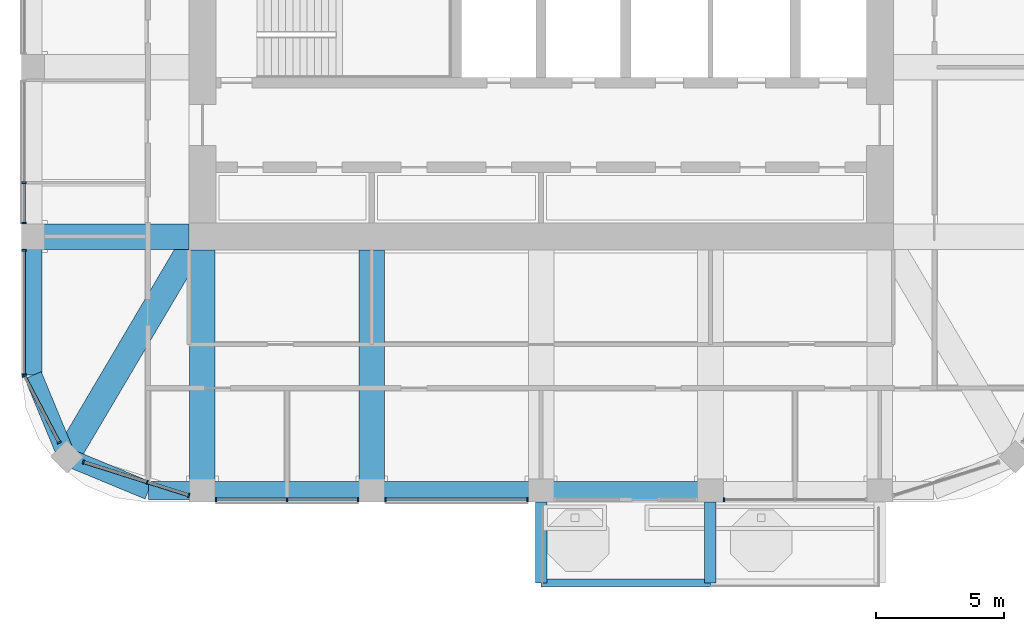
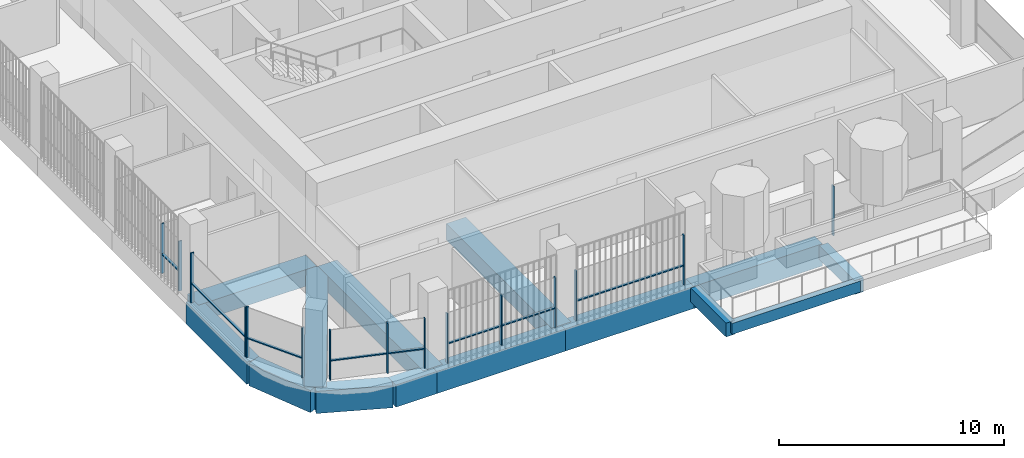
# One storey, part 2 of 21: 23 members, 14 beams, 7 elements without a shape of their own.
"""IFC4 building model written with IfcOpenShell, lengths in metres."""

from ifc_helpers import new_model, si_unit, direction, frame, origin, origin_2d, place, context, subcontext, project, spatial, rectangle, extrude, material, material_profile, profile_set, type_object, element, aggregate, save


model = new_model("IFC4")

# Units and contexts
model_context = context("Model", 3, precision=1e-05, world=origin(), true_north=direction((0.0, 1.0)))
body_context = subcontext(model_context, "Body", "Model", "MODEL_VIEW")
ifc_project = project(units=[si_unit("LENGTHUNIT", "METRE"), si_unit("AREAUNIT", "SQUARE_METRE"), si_unit("VOLUMEUNIT", "CUBIC_METRE"), si_unit("PLANEANGLEUNIT", "RADIAN"), si_unit("MASSUNIT", "GRAM", prefix="KILO")], contexts=[model_context])

# Site, building, storey
site_placement = place(None, origin())
site = spatial("IfcSite", under=ifc_project, at=site_placement, CompositionType="ELEMENT")
building_placement = place(site_placement, origin())
building = spatial("IfcBuilding", under=site, at=building_placement, Name="Cobogo Forest Laboratory Tower", CompositionType="ELEMENT")
storey_placement = place(building_placement, frame((0.0, 0.0, 283.800048828125)))
storey = spatial("IfcBuildingStorey", under=building, at=storey_placement, Name="L65", CompositionType="ELEMENT", Elevation=283.800048828125)

# Beams
ifc_material_1 = material(Name="Concrete HA-40 (C40/50)", Category="concrete")
ifc_material_profile_1 = material_profile(ifc_material_1, rectangle(XDim=0.449951171875, YDim=0.75, at=origin_2d()), Name="RC 450x750")
ifc_profile_set_1 = profile_set([ifc_material_profile_1], Name="Concrete HA-40 (C40/50)")
beam_type_1 = type_object("IfcBeamType", Name="Balcony cantilever beam 450x750", PredefinedType="BEAM", material=ifc_profile_set_1)
for number, where, z_axis, x_axis, name in (
    (1, (26.39990234375, 2.85009765625, -0.625), (0.0, -1.0, 0.0), (1.0, 0.0, 0.0), "CB1 BAL-S1-C1 L65"),
    (2, (33.0, 2.85009765625, -0.625), (0.0, -1.0, 0.0), (1.0, 0.0, 0.0), "CB1 BAL-S1-C2 L65"),
):
    element("IfcBeam", number, at=place(storey_placement, frame(where, z_axis=z_axis, x_axis=x_axis)), inside=storey, type_object=beam_type_1, Name=name, PredefinedType="BEAM", context=body_context, shape_type="SweptSolid", body=[
        extrude(rectangle(XDim=0.449951171875, YDim=0.75, at=origin_2d()), origin(), (0.0, 0.0, 1.0), 3.150146484375),
    ])
ifc_material_profile_2 = material_profile(ifc_material_1, rectangle(XDim=0.300048828125, YDim=0.60009765625, at=origin_2d()), Name="RC 300x600")
ifc_profile_set_2 = profile_set([ifc_material_profile_2], Name="Concrete HA-40 (C40/50)")
beam_type_2 = type_object("IfcBeamType", Name="Balcony edge beam 300x600", PredefinedType="BEAM", material=ifc_profile_set_2)
beam_1_placement = place(storey_placement, frame((26.39990234375, -0.300048828125, -0.550048828125), z_axis=(1.0, 0.0, 0.0), x_axis=(0.0, 1.0, 0.0)))
element("IfcBeam", 3, at=beam_1_placement, inside=storey, type_object=beam_type_2, Name="BB1 BAL-S1-T1 L65", PredefinedType="BEAM", context=body_context, shape_type="SweptSolid", body=[
    extrude(rectangle(XDim=0.300048828125, YDim=0.60009765625, at=origin_2d()), origin(), (0.0, 0.0, 1.0), 6.60009765625),
])

# Curtain wall, members
ifc_material_2 = material(Name="Aluminium curtain wall", Category="aluminium")
curtain_wall_type = type_object("IfcCurtainWallType", Name="CW-2 unitised curtain wall, solar control glazing, laboratory floors zones C and D", PredefinedType="USERDEFINED", material=ifc_material_2)
curtain_wall_1_placement = place(storey_placement, origin())
curtain_wall_1 = element("IfcCurtainWall", 4, at=curtain_wall_1_placement, inside=storey, type_object=curtain_wall_type, Name="Curtain wall 01 L65", ObjectType="UNITISED CURTAIN WALL", PredefinedType="USERDEFINED")
ifc_material_3 = material(Name="Aluminium mullion", Category="aluminium")
ifc_material_profile_3 = material_profile(ifc_material_3, rectangle(XDim=0.06005859375, YDim=0.159912109375, at=origin_2d()), Name="AL 60x160")
ifc_profile_set_3 = profile_set([ifc_material_profile_3], Name="Aluminium mullion")
member_type_1 = type_object("IfcMemberType", Name="MU-1 aluminium mullion 60x160", PredefinedType="MULLION", material=ifc_profile_set_3)
member_1_placement = place(storey_placement, frame((13.72998046875, 2.949951171875, 0.0), z_axis=(0.0, 0.0, 1.0), x_axis=(1.0, 0.0, 0.0)))
member_1 = element("IfcMember", 5, at=member_1_placement, type_object=member_type_1, Name="CW-2 mullion 1", PredefinedType="MULLION", context=body_context, shape_type="SweptSolid", body=[
    extrude(rectangle(XDim=0.06005859375, YDim=0.159912109375, at=origin_2d()), origin(), (0.0, 0.0, 1.0), 2.699951171875),
])
member_2_placement = place(storey_placement, frame((16.5, 2.949951171875, 0.0), z_axis=(0.0, 0.0, 1.0), x_axis=(1.0, 0.0, 0.0)))
member_2 = element("IfcMember", 6, at=member_2_placement, type_object=member_type_1, Name="CW-2 mullion 2", PredefinedType="MULLION", context=body_context, shape_type="SweptSolid", body=[
    extrude(rectangle(XDim=0.06005859375, YDim=0.159912109375, at=origin_2d()), origin(), (0.0, 0.0, 1.0), 2.699951171875),
])
member_3_placement = place(storey_placement, frame((19.27001953125, 2.949951171875, 0.0), z_axis=(0.0, 0.0, 1.0), x_axis=(1.0, 0.0, 0.0)))
member_3 = element("IfcMember", 7, at=member_3_placement, type_object=member_type_1, Name="CW-2 mullion 3", PredefinedType="MULLION", context=body_context, shape_type="SweptSolid", body=[
    extrude(rectangle(XDim=0.06005859375, YDim=0.159912109375, at=origin_2d()), origin(), (0.0, 0.0, 1.0), 2.699951171875),
])

curtain_wall_2_placement = place(storey_placement, origin())
curtain_wall_2 = element("IfcCurtainWall", 8, at=curtain_wall_2_placement, inside=storey, type_object=curtain_wall_type, Name="Curtain wall 02 L65", ObjectType="UNITISED CURTAIN WALL", PredefinedType="USERDEFINED")
member_4_placement = place(storey_placement, frame((20.330078125, 2.949951171875, 0.0), z_axis=(0.0, 0.0, 1.0), x_axis=(1.0, 0.0, 0.0)))
member_4 = element("IfcMember", 9, at=member_4_placement, type_object=member_type_1, Name="CW-2 mullion 1", PredefinedType="MULLION", context=body_context, shape_type="SweptSolid", body=[
    extrude(rectangle(XDim=0.06005859375, YDim=0.159912109375, at=origin_2d()), origin(), (0.0, 0.0, 1.0), 2.699951171875),
])
member_5_placement = place(storey_placement, frame((25.8701171875, 2.949951171875, 0.0), z_axis=(0.0, 0.0, 1.0), x_axis=(1.0, 0.0, 0.0)))
member_5 = element("IfcMember", 10, at=member_5_placement, type_object=member_type_1, Name="CW-2 mullion 2", PredefinedType="MULLION", context=body_context, shape_type="SweptSolid", body=[
    extrude(rectangle(XDim=0.06005859375, YDim=0.159912109375, at=origin_2d()), origin(), (0.0, 0.0, 1.0), 2.699951171875),
])

# Curtain wall, member
curtain_wall_3_placement = place(storey_placement, origin())
curtain_wall_3 = element("IfcCurtainWall", 11, at=curtain_wall_3_placement, inside=storey, type_object=curtain_wall_type, Name="Curtain wall 04 L65", ObjectType="UNITISED CURTAIN WALL", PredefinedType="USERDEFINED")
member_6_placement = place(storey_placement, frame((33.530029296875, 2.949951171875, 0.0), z_axis=(0.0, 0.0, 1.0), x_axis=(1.0, 0.0, 0.0)))
member_6 = element("IfcMember", 12, at=member_6_placement, type_object=member_type_1, Name="CW-2 mullion 1", PredefinedType="MULLION", context=body_context, shape_type="SweptSolid", body=[
    extrude(rectangle(XDim=0.06005859375, YDim=0.159912109375, at=origin_2d()), origin(), (0.0, 0.0, 1.0), 2.699951171875),
])
aggregate(curtain_wall_3, [member_6])

# Curtain wall, members
curtain_wall_4_placement = place(storey_placement, origin())
curtain_wall_4 = element("IfcCurtainWall", 13, at=curtain_wall_4_placement, inside=storey, type_object=curtain_wall_type, Name="Curtain wall 23 L65", ObjectType="UNITISED CURTAIN WALL", PredefinedType="USERDEFINED")
member_7_placement = place(storey_placement, frame((6.25, 15.300048828125, 0.0), z_axis=(0.0, 0.0, 1.0), x_axis=(0.0, -1.0, 0.0)))
member_7 = element("IfcMember", 14, at=member_7_placement, type_object=member_type_1, Name="CW-2 mullion 2", PredefinedType="MULLION", context=body_context, shape_type="SweptSolid", body=[
    extrude(rectangle(XDim=0.06005859375, YDim=0.159912109375, at=origin_2d()), origin(), (0.0, 0.0, 1.0), 2.699951171875),
])
member_8_placement = place(storey_placement, frame((6.25, 13.72998046875, 0.0), z_axis=(0.0, 0.0, 1.0), x_axis=(0.0, -1.0, 0.0)))
member_8 = element("IfcMember", 15, at=member_8_placement, type_object=member_type_1, Name="CW-2 mullion 3", PredefinedType="MULLION", context=body_context, shape_type="SweptSolid", body=[
    extrude(rectangle(XDim=0.06005859375, YDim=0.159912109375, at=origin_2d()), origin(), (0.0, 0.0, 1.0), 2.699951171875),
])

curtain_wall_5_placement = place(storey_placement, origin())
curtain_wall_5 = element("IfcCurtainWall", 16, at=curtain_wall_5_placement, inside=storey, type_object=curtain_wall_type, Name="Curtain wall 24 L65", ObjectType="UNITISED CURTAIN WALL", PredefinedType="USERDEFINED")
member_9_placement = place(storey_placement, frame((6.25, 12.669921875, 0.0), z_axis=(0.0, 0.0, 1.0), x_axis=(0.0, -1.0, 0.0)))
member_9 = element("IfcMember", 17, at=member_9_placement, type_object=member_type_1, Name="CW-2 mullion 1", PredefinedType="MULLION", context=body_context, shape_type="SweptSolid", body=[
    extrude(rectangle(XDim=0.06005859375, YDim=0.159912109375, at=origin_2d()), origin(), (0.0, 0.0, 1.0), 2.699951171875),
])
member_10_placement = place(storey_placement, frame((6.25, 7.830078125, 0.0), z_axis=(0.0, 0.0, 1.0), x_axis=(0.0, -1.0, 0.0)))
member_10 = element("IfcMember", 18, at=member_10_placement, type_object=member_type_1, Name="CW-2 mullion 2", PredefinedType="MULLION", context=body_context, shape_type="SweptSolid", body=[
    extrude(rectangle(XDim=0.06005859375, YDim=0.159912109375, at=origin_2d()), origin(), (0.0, 0.0, 1.0), 2.699951171875),
])

curtain_wall_6_placement = place(storey_placement, origin())
curtain_wall_6 = element("IfcCurtainWall", 19, at=curtain_wall_6_placement, inside=storey, type_object=curtain_wall_type, Name="Curtain wall 25 L65", ObjectType="UNITISED CURTAIN WALL", PredefinedType="USERDEFINED")
member_11_placement = place(storey_placement, frame((6.263916015625, 7.7734375, 0.0), z_axis=(0.0, 0.0, 1.0), x_axis=(0.464283778337, -0.885686498245, 0.0)))
member_11 = element("IfcMember", 20, at=member_11_placement, type_object=member_type_1, Name="CW-2 mullion 1", PredefinedType="MULLION", context=body_context, shape_type="SweptSolid", body=[
    extrude(rectangle(XDim=0.06005859375, YDim=0.159912109375, at=origin_2d()), origin(), (0.0, 0.0, 1.0), 2.699951171875),
])
member_12_placement = place(storey_placement, frame((7.6220703125, 5.1826171875, 0.0), z_axis=(0.0, 0.0, 1.0), x_axis=(0.464283778337, -0.885686498245, 0.0)))
member_12 = element("IfcMember", 21, at=member_12_placement, type_object=member_type_1, Name="CW-2 mullion 2", PredefinedType="MULLION", context=body_context, shape_type="SweptSolid", body=[
    extrude(rectangle(XDim=0.06005859375, YDim=0.159912109375, at=origin_2d()), origin(), (0.0, 0.0, 1.0), 2.699951171875),
])

curtain_wall_7_placement = place(storey_placement, origin())
curtain_wall_7 = element("IfcCurtainWall", 22, at=curtain_wall_7_placement, inside=storey, type_object=curtain_wall_type, Name="Curtain wall 26 L65", ObjectType="UNITISED CURTAIN WALL", PredefinedType="USERDEFINED")
member_13_placement = place(storey_placement, frame((8.570068359375, 4.412109375, 0.0), z_axis=(0.0, 0.0, 1.0), x_axis=(0.953581379409, -0.301135439371, 0.0)))
member_13 = element("IfcMember", 23, at=member_13_placement, type_object=member_type_1, Name="CW-2 mullion 1", PredefinedType="MULLION", context=body_context, shape_type="SweptSolid", body=[
    extrude(rectangle(XDim=0.06005859375, YDim=0.159912109375, at=origin_2d()), origin(), (0.0, 0.0, 1.0), 2.699951171875),
])
member_14_placement = place(storey_placement, frame((11.051025390625, 3.628662109375, 0.0), z_axis=(0.0, 0.0, 1.0), x_axis=(0.953581379409, -0.301135439371, 0.0)))
member_14 = element("IfcMember", 24, at=member_14_placement, type_object=member_type_1, Name="CW-2 mullion 2", PredefinedType="MULLION", context=body_context, shape_type="SweptSolid", body=[
    extrude(rectangle(XDim=0.06005859375, YDim=0.159912109375, at=origin_2d()), origin(), (0.0, 0.0, 1.0), 2.699951171875),
])
member_15_placement = place(storey_placement, frame((12.67138671875, 3.116943359375, 0.0), z_axis=(0.0, 0.0, 1.0), x_axis=(0.953581379409, -0.301135439371, 0.0)))
member_15 = element("IfcMember", 25, at=member_15_placement, type_object=member_type_1, Name="CW-2 mullion 3", PredefinedType="MULLION", context=body_context, shape_type="SweptSolid", body=[
    extrude(rectangle(XDim=0.06005859375, YDim=0.159912109375, at=origin_2d()), origin(), (0.0, 0.0, 1.0), 2.699951171875),
])

# Beams
ifc_material_profile_4 = material_profile(ifc_material_1, rectangle(XDim=1.0, YDim=0.89990234375, at=origin_2d()), Name="RC 1000x900")
ifc_profile_set_4 = profile_set([ifc_material_profile_4], Name="Concrete HA-40 (C40/50)")
beam_type_3 = type_object("IfcBeamType", Name="Office floor wide beam 1000x900", PredefinedType="BEAM", material=ifc_profile_set_4)
for number, where, z_axis, x_axis, name in (
    (26, (13.199951171875, 12.675048828125, -0.75), (0.0, -1.0, 0.0), (1.0, 0.0, 0.0), "RB2 R-3-S L65"),
    (27, (19.800048828125, 12.675048828125, -0.75), (0.0, -1.0, 0.0), (1.0, 0.0, 0.0), "RB2 R-4-S L65"),
):
    element("IfcBeam", number, at=place(storey_placement, frame(where, z_axis=z_axis, x_axis=x_axis)), inside=storey, type_object=beam_type_3, Name=name, PredefinedType="BEAM", context=body_context, shape_type="SweptSolid", body=[
        extrude(rectangle(XDim=1.0, YDim=0.89990234375, at=origin_2d()), origin(), (0.0, 0.0, 1.0), 9.375),
    ])
beam_2_placement = place(storey_placement, frame((12.675048828125, 13.199951171875, -0.75), z_axis=(-1.0, 0.0, 0.0), x_axis=(0.0, -1.0, 0.0)))
element("IfcBeam", 28, at=beam_2_placement, inside=storey, type_object=beam_type_3, Name="RB2 R-C-W L65", PredefinedType="BEAM", context=body_context, shape_type="SweptSolid", body=[
    extrude(rectangle(XDim=1.0, YDim=0.89990234375, at=origin_2d()), origin(), (0.0, 0.0, 1.0), 6.074951171875),
])
beam_3_placement = place(storey_placement, frame((7.91796875, 4.617919921875, -0.75), z_axis=(0.508416325908, 0.861111397875, 0.0), x_axis=(-0.861111397875, 0.508416325908, 0.0)))
element("IfcBeam", 29, at=beam_3_placement, inside=storey, type_object=beam_type_3, Name="RB2 G-SW-D1 L65", PredefinedType="BEAM", context=body_context, shape_type="SweptSolid", body=[
    extrude(rectangle(XDim=1.0, YDim=0.89990234375, at=origin_2d()), origin(), (0.0, 0.0, 1.0), 9.356689453125),
])
ifc_material_profile_5 = material_profile(ifc_material_1, rectangle(XDim=0.699951171875, YDim=1.199951171875, at=origin_2d()), Name="RC 700x1200")
ifc_profile_set_5 = profile_set([ifc_material_profile_5], Name="Concrete HA-40 (C40/50)")
beam_type_4 = type_object("IfcBeamType", Name="Perimeter edge beam 700x1200", PredefinedType="BEAM", material=ifc_profile_set_5)
beam_4_placement = place(storey_placement, frame((13.199951171875, 3.300048828125, -0.900146484375), z_axis=(1.0, 0.0, 0.0), x_axis=(0.0, 1.0, 0.0)))
element("IfcBeam", 30, at=beam_4_placement, inside=storey, type_object=beam_type_4, Name="EB1 E-S1 L65", PredefinedType="BEAM", context=body_context, shape_type="SweptSolid", body=[
    extrude(rectangle(XDim=0.699951171875, YDim=1.199951171875, at=origin_2d()), origin(), (0.0, 0.0, 1.0), 6.60009765625),
])
beam_5_placement = place(storey_placement, frame((19.800048828125, 3.300048828125, -0.900146484375), z_axis=(1.0, 0.0, 0.0), x_axis=(0.0, 1.0, 0.0)))
element("IfcBeam", 31, at=beam_5_placement, inside=storey, type_object=beam_type_4, Name="EB1 E-S2 L65", PredefinedType="BEAM", context=body_context, shape_type="SweptSolid", body=[
    extrude(rectangle(XDim=0.699951171875, YDim=1.199951171875, at=origin_2d()), origin(), (0.0, 0.0, 1.0), 6.599853515625),
])
beam_6_placement = place(storey_placement, frame((26.39990234375, 3.300048828125, -0.900146484375), z_axis=(1.0, 0.0, 0.0), x_axis=(0.0, 1.0, 0.0)))
element("IfcBeam", 32, at=beam_6_placement, inside=storey, type_object=beam_type_4, Name="EB1 E-S3 L65", PredefinedType="BEAM", context=body_context, shape_type="SweptSolid", body=[
    extrude(rectangle(XDim=0.699951171875, YDim=1.199951171875, at=origin_2d()), origin(), (0.0, 0.0, 1.0), 6.60009765625),
])
beam_7_placement = place(storey_placement, frame((13.199951171875, 3.300048828125, -0.900146484375), z_axis=(-1.0, 0.0, 0.0), x_axis=(0.0, -1.0, 0.0)))
element("IfcBeam", 33, at=beam_7_placement, inside=storey, type_object=beam_type_4, Name="EB1 E-SWS1 L65", PredefinedType="BEAM", context=body_context, shape_type="SweptSolid", body=[
    extrude(rectangle(XDim=0.699951171875, YDim=1.199951171875, at=origin_2d()), origin(), (0.0, 0.0, 1.0), 2.099853515625),
])
beam_8_placement = place(storey_placement, frame((11.10009765625, 3.300048828125, -0.900146484375), z_axis=(-0.923901072997, 0.382631424892, 0.0), x_axis=(-0.382631424892, -0.923901072997, 0.0)))
element("IfcBeam", 34, at=beam_8_placement, inside=storey, type_object=beam_type_4, Name="EB1 E-SWS2 L65", PredefinedType="BEAM", context=body_context, shape_type="SweptSolid", body=[
    extrude(rectangle(XDim=0.699951171875, YDim=1.199951171875, at=origin_2d()), origin(), (0.0, 0.0, 1.0), 3.4443359375),
])
beam_9_placement = place(storey_placement, frame((6.60009765625, 13.199951171875, -0.900146484375), z_axis=(0.0, -1.0, 0.0), x_axis=(1.0, 0.0, 0.0)))
element("IfcBeam", 35, at=beam_9_placement, inside=storey, type_object=beam_type_4, Name="EB1 E-SWW1 L65", PredefinedType="BEAM", context=body_context, shape_type="SweptSolid", body=[
    extrude(rectangle(XDim=0.699951171875, YDim=1.199951171875, at=origin_2d()), origin(), (0.0, 0.0, 1.0), 5.39990234375),
])
beam_10_placement = place(storey_placement, frame((6.60009765625, 7.800048828125, -0.900146484375), z_axis=(0.382631424892, -0.923901072997, 0.0), x_axis=(0.923901072997, 0.382631424892, 0.0)))
element("IfcBeam", 36, at=beam_10_placement, inside=storey, type_object=beam_type_4, Name="EB1 E-SWW2 L65", PredefinedType="BEAM", context=body_context, shape_type="SweptSolid", body=[
    extrude(rectangle(XDim=0.699951171875, YDim=1.199951171875, at=origin_2d()), origin(), (0.0, 0.0, 1.0), 3.4443359375),
])

# Member
ifc_material_4 = material(Name="Aluminium transom", Category="aluminium")
ifc_material_profile_6 = material_profile(ifc_material_4, rectangle(XDim=0.1201171875, YDim=0.06005859375, at=origin_2d()), Name="AL 60x120")
ifc_profile_set_6 = profile_set([ifc_material_profile_6], Name="Aluminium transom")
member_type_2 = type_object("IfcMemberType", Name="TR-1 aluminium transom 60x120", PredefinedType="USERDEFINED", material=ifc_profile_set_6)
member_16_placement = place(storey_placement, frame((13.760009765625, 2.949951171875, 1.050048828125), z_axis=(1.0, 0.0, 0.0), x_axis=(0.0, 1.0, 0.0)))
member_16 = element("IfcMember", 37, at=member_16_placement, type_object=member_type_2, Name="CW-2 transom 1.1", ObjectType="TRANSOM", PredefinedType="USERDEFINED", context=body_context, shape_type="SweptSolid", body=[
    extrude(rectangle(XDim=0.1201171875, YDim=0.06005859375, at=origin_2d()), origin(), (0.0, 0.0, 1.0), 2.7099609375),
])

member_17_placement = place(storey_placement, frame((16.530029296875, 2.949951171875, 1.050048828125), z_axis=(1.0, 0.0, 0.0), x_axis=(0.0, 1.0, 0.0)))
member_17 = element("IfcMember", 38, at=member_17_placement, type_object=member_type_2, Name="CW-2 transom 2.1", ObjectType="TRANSOM", PredefinedType="USERDEFINED", context=body_context, shape_type="SweptSolid", body=[
    extrude(rectangle(XDim=0.1201171875, YDim=0.06005859375, at=origin_2d()), origin(), (0.0, 0.0, 1.0), 2.7099609375),
])

aggregate(curtain_wall_1, [member_1, member_2, member_3, member_16, member_17])

member_18_placement = place(storey_placement, frame((20.360107421875, 2.949951171875, 1.050048828125), z_axis=(1.0, 0.0, 0.0), x_axis=(0.0, 1.0, 0.0)))
member_18 = element("IfcMember", 39, at=member_18_placement, type_object=member_type_2, Name="CW-2 transom 1.1", ObjectType="TRANSOM", PredefinedType="USERDEFINED", context=body_context, shape_type="SweptSolid", body=[
    extrude(rectangle(XDim=0.1201171875, YDim=0.06005859375, at=origin_2d()), origin(), (0.0, 0.0, 1.0), 5.47998046875),
])

aggregate(curtain_wall_2, [member_4, member_5, member_18])

member_19_placement = place(storey_placement, frame((6.25, 15.27001953125, 1.050048828125), z_axis=(0.0, -1.0, 0.0), x_axis=(1.0, 0.0, 0.0)))
member_19 = element("IfcMember", 40, at=member_19_placement, type_object=member_type_2, Name="CW-2 transom 2.1", ObjectType="TRANSOM", PredefinedType="USERDEFINED", context=body_context, shape_type="SweptSolid", body=[
    extrude(rectangle(XDim=0.1201171875, YDim=0.06005859375, at=origin_2d()), origin(), (0.0, 0.0, 1.0), 1.510009765625),
])

aggregate(curtain_wall_4, [member_7, member_8, member_19])

member_20_placement = place(storey_placement, frame((6.25, 12.639892578125, 1.050048828125), z_axis=(0.0, -1.0, 0.0), x_axis=(1.0, 0.0, 0.0)))
member_20 = element("IfcMember", 41, at=member_20_placement, type_object=member_type_2, Name="CW-2 transom 1.1", ObjectType="TRANSOM", PredefinedType="USERDEFINED", context=body_context, shape_type="SweptSolid", body=[
    extrude(rectangle(XDim=0.1201171875, YDim=0.06005859375, at=origin_2d()), origin(), (0.0, 0.0, 1.0), 4.77978515625),
])

aggregate(curtain_wall_5, [member_9, member_10, member_20])

member_21_placement = place(storey_placement, frame((6.27783203125, 7.746826171875, 1.050048828125), z_axis=(0.46430944806, -0.885673041501, 0.0), x_axis=(0.885673041501, 0.46430944806, 0.0)))
member_21 = element("IfcMember", 42, at=member_21_placement, type_object=member_type_2, Name="CW-2 transom 1.1", ObjectType="TRANSOM", PredefinedType="USERDEFINED", context=body_context, shape_type="SweptSolid", body=[
    extrude(rectangle(XDim=0.1201171875, YDim=0.06005859375, at=origin_2d()), origin(), (0.0, 0.0, 1.0), 2.865234375),
])

aggregate(curtain_wall_6, [member_11, member_12, member_21])

member_22_placement = place(storey_placement, frame((8.5986328125, 4.403076171875, 1.050048828125), z_axis=(0.953578309712, -0.301145159761, 0.0), x_axis=(0.301145159761, 0.953578309712, 0.0)))
member_22 = element("IfcMember", 43, at=member_22_placement, type_object=member_type_2, Name="CW-2 transom 1.1", ObjectType="TRANSOM", PredefinedType="USERDEFINED", context=body_context, shape_type="SweptSolid", body=[
    extrude(rectangle(XDim=0.1201171875, YDim=0.06005859375, at=origin_2d()), origin(), (0.0, 0.0, 1.0), 2.54150390625),
])

member_23_placement = place(storey_placement, frame((11.07958984375, 3.61962890625, 1.050048828125), z_axis=(0.953582665134, -0.301131367937, 0.0), x_axis=(0.301131367937, 0.953582665134, 0.0)))
member_23 = element("IfcMember", 44, at=member_23_placement, type_object=member_type_2, Name="CW-2 transom 2.1", ObjectType="TRANSOM", PredefinedType="USERDEFINED", context=body_context, shape_type="SweptSolid", body=[
    extrude(rectangle(XDim=0.1201171875, YDim=0.06005859375, at=origin_2d()), origin(), (0.0, 0.0, 1.0), 1.639404296875),
])

aggregate(curtain_wall_7, [member_13, member_14, member_15, member_22, member_23])

save(model, "model.ifc")
